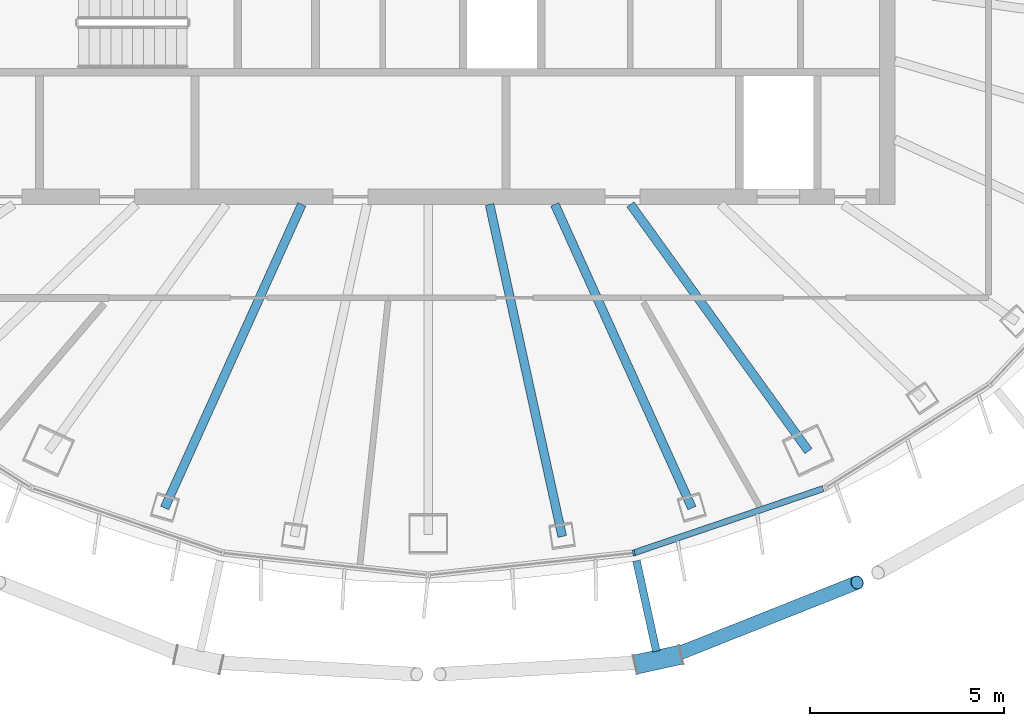
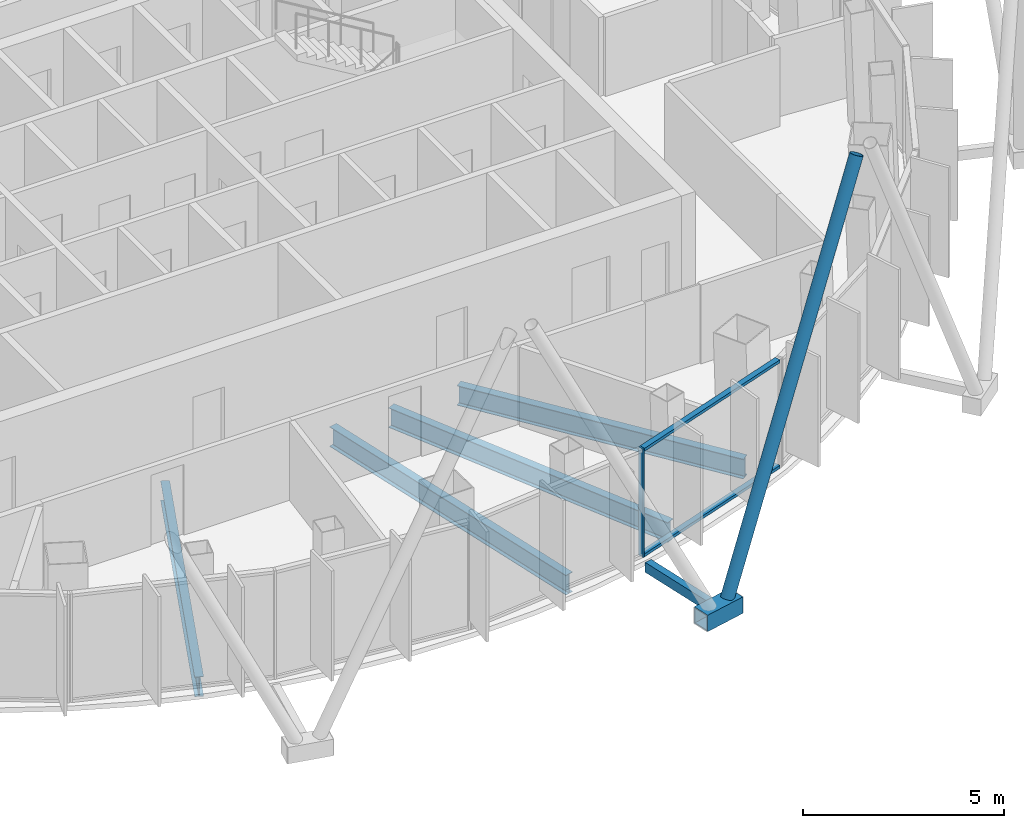
# One storey, part 3 of 18: 6 members, 4 beams, 1 element without a shape of its own.
"""IFC4 building model written with IfcOpenShell, lengths in metres."""

from ifc_helpers import new_model, si_unit, direction, frame, origin, origin_2d, place, context, subcontext, project, spatial, rectangle, hollow_rectangle, hollow_circle, i_section, extrude, material, layer, layer_set, material_profile, profile_set, type_object, element, aggregate, save


model = new_model("IFC4")

# Units and contexts
model_context = context("Model", 3, precision=1e-05, world=origin(), true_north=direction((0.0, 1.0)))
body_context = subcontext(model_context, "Body", "Model", "MODEL_VIEW")
ifc_project = project(units=[si_unit("LENGTHUNIT", "METRE"), si_unit("AREAUNIT", "SQUARE_METRE"), si_unit("VOLUMEUNIT", "CUBIC_METRE"), si_unit("PLANEANGLEUNIT", "RADIAN"), si_unit("MASSUNIT", "GRAM", prefix="KILO")], contexts=[model_context])

# Site, building, storey
site_placement = place(None, origin())
site = spatial("IfcSite", under=ifc_project, at=site_placement, CompositionType="ELEMENT")
building_placement = place(site_placement, origin())
building = spatial("IfcBuilding", under=site, at=building_placement, Name="Siaravel Broadcast Tower", CompositionType="ELEMENT")
storey_placement = place(building_placement, frame((0.0, 0.0, 261.5)))
storey = spatial("IfcBuildingStorey", under=building, at=storey_placement, Name="L64", CompositionType="ELEMENT", Elevation=261.5)

# Beams
ifc_material_1 = material(Name="Steel S355", Category="steel")
ifc_material_profile_1 = material_profile(ifc_material_1, i_section(OverallWidth=0.2275390625, OverallDepth=0.6025390625, WebThickness=0.010498046875, FlangeThickness=0.014892578125, FilletRadius=0.0126953125, at=origin_2d()))
ifc_profile_set_1 = profile_set([ifc_material_profile_1], Name="Steel S355")
beam_type = type_object("IfcBeamType", Name="BM-UB 610x229x101", PredefinedType="BEAM", material=ifc_profile_set_1)
beam_1_placement = place(storey_placement, frame((-6.780029296875, -15.006103515625, -0.451416015625), z_axis=(0.411731811, 0.911305062, 0.0), x_axis=(-0.911305062, 0.411731811, 0.0)))
element("IfcBeam", 1, at=beam_1_placement, inside=storey, type_object=beam_type, Name="Radial beam RB26", PredefinedType="BEAM", context=body_context, shape_type="SweptSolid", body=[
    extrude(i_section(OverallWidth=0.2275390625, OverallDepth=0.6025390625, WebThickness=0.010498046875, FlangeThickness=0.014892578125, FilletRadius=0.0126953125, at=origin_2d()), origin(), (0.0, 0.0, 1.0), 8.56591796875),
])
beam_2_placement = place(storey_placement, frame((3.444091796875, -15.738037109375, -0.451416015625), z_axis=(-0.213773519, 0.976883249, 0.0), x_axis=(-0.976883249, -0.213773519, 0.0)))
element("IfcBeam", 2, at=beam_2_placement, inside=storey, type_object=beam_type, Name="Radial beam RB29", PredefinedType="BEAM", context=body_context, shape_type="SweptSolid", body=[
    extrude(i_section(OverallWidth=0.2275390625, OverallDepth=0.6025390625, WebThickness=0.010498046875, FlangeThickness=0.014892578125, FilletRadius=0.0126953125, at=origin_2d()), origin(), (0.0, 0.0, 1.0), 8.740234375),
])
beam_3_placement = place(storey_placement, frame((6.780029296875, -15.006103515625, -0.451416015625), z_axis=(-0.411731811, 0.911305062, 0.0), x_axis=(-0.911305062, -0.411731811, 0.0)))
element("IfcBeam", 3, at=beam_3_placement, inside=storey, type_object=beam_type, Name="Radial beam RB30", PredefinedType="BEAM", context=body_context, shape_type="SweptSolid", body=[
    extrude(i_section(OverallWidth=0.2275390625, OverallDepth=0.6025390625, WebThickness=0.010498046875, FlangeThickness=0.014892578125, FilletRadius=0.0126953125, at=origin_2d()), origin(), (0.0, 0.0, 1.0), 8.56591796875),
])
beam_4_placement = place(storey_placement, frame((9.775390625, -13.541748046875, -0.451416015625), z_axis=(-0.585296794, 0.810819131, 0.0), x_axis=(-0.810819131, -0.585296794, 0.0)))
element("IfcBeam", 4, at=beam_4_placement, inside=storey, type_object=beam_type, Name="Radial beam RB31", PredefinedType="BEAM", context=body_context, shape_type="SweptSolid", body=[
    extrude(i_section(OverallWidth=0.2275390625, OverallDepth=0.6025390625, WebThickness=0.010498046875, FlangeThickness=0.014892578125, FilletRadius=0.0126953125, at=origin_2d()), origin(), (0.0, 0.0, 1.0), 7.821533203125),
])

# Curtain wall, members
ifc_material_2 = material(Name="Aluminium 6063-T6", Category="aluminium")
ifc_layer = layer(ifc_material_2, 0.159912109375)
ifc_layer_set = layer_set([ifc_layer], Name="Aluminium 6063-T6")
curtain_wall_type = type_object("IfcCurtainWallType", Name="Unitised curtain wall, zone 4", PredefinedType="NOTDEFINED", material=ifc_layer_set)
curtain_wall_placement = place(storey_placement, origin())
curtain_wall = element("IfcCurtainWall", 5, at=curtain_wall_placement, inside=storey, type_object=curtain_wall_type, Name="L64 Unitised curtain wall, zone 4 10", PredefinedType="NOTDEFINED")
ifc_material_profile_2 = material_profile(ifc_material_2, rectangle(XDim=0.159912109375, YDim=0.054931640625, at=origin_2d()))
ifc_profile_set_2 = profile_set([ifc_material_profile_2], Name="Aluminium 6063-T6")
member_type_1 = type_object("IfcMemberType", Name="CW-Z4 mullion", PredefinedType="MULLION", material=ifc_profile_set_2)
member_1_placement = place(storey_placement, frame((5.28125, -16.160400390625, 0.0), z_axis=(0.0, 0.0, 1.0), x_axis=(-0.215558742, 0.976490875, 0.0)))
member_1 = element("IfcMember", 6, at=member_1_placement, type_object=member_type_1, Name="CW-Z4 mullion 2", PredefinedType="MULLION", context=body_context, shape_type="SweptSolid", body=[
    extrude(rectangle(XDim=0.159912109375, YDim=0.054931640625, at=origin_2d()), origin(), (0.0, 0.0, 1.0), 3.300048828125),
])
ifc_material_profile_3 = material_profile(ifc_material_2, rectangle(XDim=0.159912109375, YDim=0.090087890625, at=origin_2d()))
ifc_profile_set_3 = profile_set([ifc_material_profile_3], Name="Aluminium 6063-T6")
member_type_2 = type_object("IfcMemberType", Name="CW-Z4 transom", PredefinedType="USERDEFINED", material=ifc_profile_set_3)
member_2_placement = place(storey_placement, frame((5.30712890625, -16.151611328125, 0.044921875), z_axis=(0.946984924, 0.321278, 0.0), x_axis=(-0.321278, 0.946984924, 0.0)))
member_2 = element("IfcMember", 7, at=member_2_placement, type_object=member_type_2, Name="CW-Z4 transom 2", ObjectType="TRANSOM", PredefinedType="USERDEFINED", context=body_context, shape_type="SweptSolid", body=[
    extrude(rectangle(XDim=0.159912109375, YDim=0.090087890625, at=origin_2d()), origin(), (0.0, 0.0, 1.0), 5.114990234375),
])
member_3_placement = place(storey_placement, frame((5.30712890625, -16.151611328125, 3.2548828125), z_axis=(0.946984924, 0.321278, 0.0), x_axis=(-0.321278, 0.946984924, 0.0)))
member_3 = element("IfcMember", 8, at=member_3_placement, type_object=member_type_2, Name="CW-Z4 transom 2", ObjectType="TRANSOM", PredefinedType="USERDEFINED", context=body_context, shape_type="SweptSolid", body=[
    extrude(rectangle(XDim=0.159912109375, YDim=0.090087890625, at=origin_2d()), origin(), (0.0, 0.0, 1.0), 5.114990234375),
])
aggregate(curtain_wall, [member_1, member_2, member_3])

# Members
ifc_material_3 = material(Name="Steel S460", Category="steel")
ifc_material_profile_4 = material_profile(ifc_material_3, hollow_circle(Radius=0.177734375, WallThickness=0.012451171875, at=origin_2d()))
ifc_profile_set_4 = profile_set([ifc_material_profile_4], Name="Steel S460")
member_type_3 = type_object("IfcMemberType", Name="Diagrid diagonal CHS 355.6x12.5", PredefinedType="BRACE", material=ifc_profile_set_4)
member_4_placement = place(storey_placement, frame((6.199462890625, -18.841064453125, 0.02001953125), z_axis=(0.407037487, 0.16182674, 0.898961952), x_axis=(-0.369444903, 0.929252637, 0.0)))
element("IfcMember", 9, at=member_4_placement, inside=storey, type_object=member_type_3, Name="Diagrid diagonal R26 station 57A", PredefinedType="BRACE", context=body_context, shape_type="SweptSolid", body=[
    extrude(hollow_circle(Radius=0.177734375, WallThickness=0.012451171875, at=origin_2d()), origin(), (0.0, 0.0, 1.0), 11.85791015625),
])
ifc_material_profile_5 = material_profile(ifc_material_3, hollow_rectangle(XDim=0.5, YDim=0.5, WallThickness=0.031982421875, at=origin_2d()))
ifc_profile_set_5 = profile_set([ifc_material_profile_5], Name="Steel S460")
member_type_4 = type_object("IfcMemberType", Name="Diagrid node BOX 500x500x32", PredefinedType="USERDEFINED", material=ifc_profile_set_5)
member_5_placement = place(storey_placement, frame((5.3310546875, -19.03173828125, -0.199951171875), z_axis=(0.97675485, 0.214359426, 0.0), x_axis=(-0.214359426, 0.97675485, 0.0)))
element("IfcMember", 10, at=member_5_placement, inside=storey, type_object=member_type_4, Name="Diagrid node R26 station 57", ObjectType="DIAGRID NODE", PredefinedType="USERDEFINED", context=body_context, shape_type="SweptSolid", body=[
    extrude(hollow_rectangle(XDim=0.5, YDim=0.5, WallThickness=0.031982421875, at=origin_2d()), origin(), (0.0, 0.0, 1.0), 1.186767578125),
])
ifc_material_profile_6 = material_profile(ifc_material_3, hollow_rectangle(XDim=0.199951171875, YDim=0.300048828125, WallThickness=0.012451171875, at=origin_2d()))
ifc_profile_set_6 = profile_set([ifc_material_profile_6], Name="Steel S460")
member_type_5 = type_object("IfcMemberType", Name="Diagrid node arm RHS 300x200x12.5", PredefinedType="STRUT", material=ifc_profile_set_6)
member_6_placement = place(storey_placement, frame((5.353271484375, -16.364990234375, -0.199951171875), z_axis=(0.2143882, -0.976748535, 0.0), x_axis=(0.976748535, 0.2143882, 0.0)))
element("IfcMember", 11, at=member_6_placement, inside=storey, type_object=member_type_5, Name="Node arm R26 station 57", PredefinedType="STRUT", context=body_context, shape_type="SweptSolid", body=[
    extrude(hollow_rectangle(XDim=0.199951171875, YDim=0.300048828125, WallThickness=0.012451171875, at=origin_2d()), origin(), (0.0, 0.0, 1.0), 2.380126953125),
])

save(model, "model.ifc")
